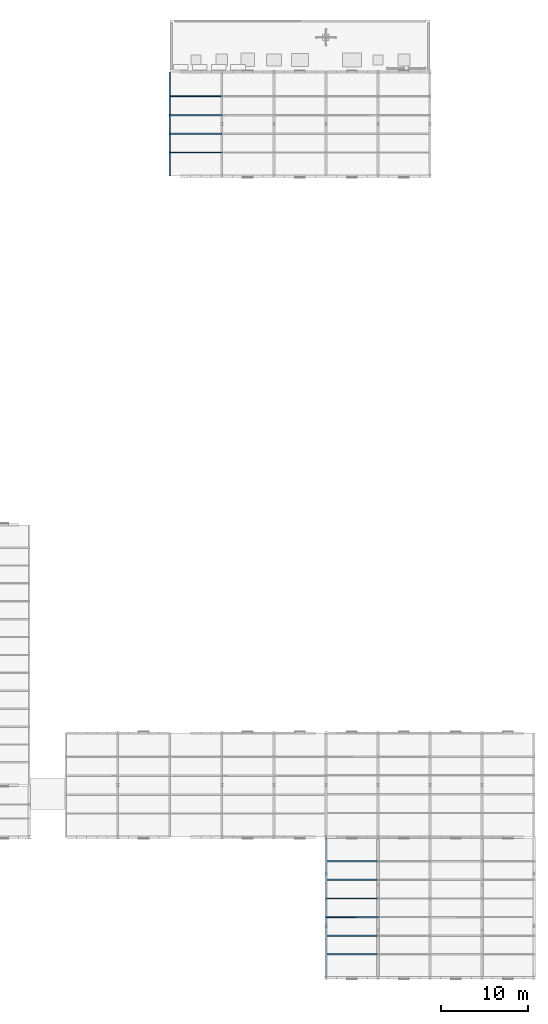
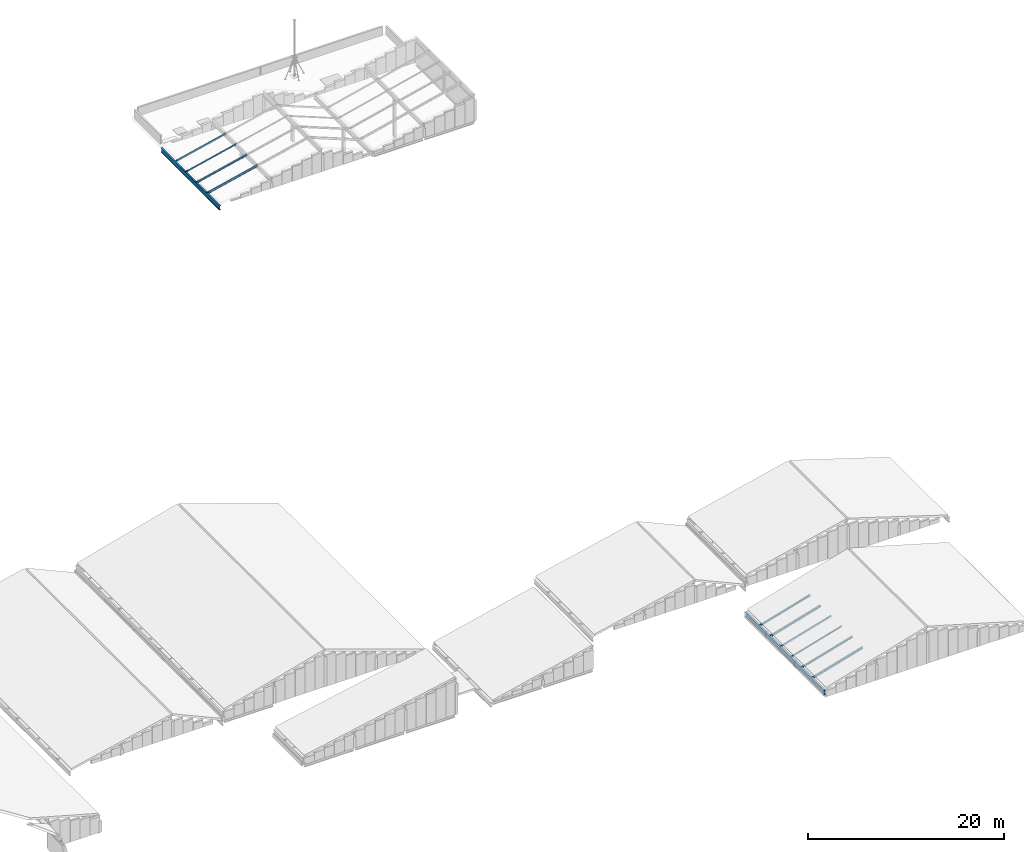
# One storey, part 16 of 74: 10 members, 2 beams.
"""IFC4 building model written with IfcOpenShell, lengths in metres."""

from ifc_helpers import new_model, si_unit, direction, frame, origin, origin_2d, place, context, subcontext, project, spatial, hollow_rectangle, i_section, extrude, material, material_profile, profile_set, type_object, element, save


model = new_model("IFC4")

# Units and contexts
model_context = context("Model", 3, precision=1e-05, world=origin(), true_north=direction((0.0, 1.0)))
body_context = subcontext(model_context, "Body", "Model", "MODEL_VIEW")
ifc_project = project(units=[si_unit("LENGTHUNIT", "METRE"), si_unit("AREAUNIT", "SQUARE_METRE"), si_unit("VOLUMEUNIT", "CUBIC_METRE"), si_unit("PLANEANGLEUNIT", "RADIAN"), si_unit("MASSUNIT", "GRAM", prefix="KILO")], contexts=[model_context])

# Site, building, storey
site_placement = place(None, origin())
site = spatial("IfcSite", under=ifc_project, at=site_placement, CompositionType="ELEMENT")
building_placement = place(site_placement, origin())
building = spatial("IfcBuilding", under=site, at=building_placement, Name="Siltcreek Boulevard Central Fire Station", CompositionType="ELEMENT")
storey_placement = place(building_placement, frame((0.0, 0.0, 25.199951171875)))
storey = spatial("IfcBuildingStorey", under=building, at=storey_placement, Name="RF", CompositionType="ELEMENT", Elevation=25.199951171875)

# Beams
ifc_material_1 = material(Name="Structural steel ASTM A992 Gr50", Category="steel")
ifc_material_profile_1 = material_profile(ifc_material_1, i_section(OverallWidth=0.2109375, OverallDepth=0.5390625, WebThickness=0.01171875, FlangeThickness=0.018798828125, at=origin_2d()), Name="W530X109")
ifc_profile_set_1 = profile_set([ifc_material_profile_1], Name="Structural steel ASTM A992 Gr50")
beam_type = type_object("IfcBeamType", Name="BM_W530X109", PredefinedType="BEAM", material=ifc_profile_set_1)
beam_1_placement = place(storey_placement, frame((124.199951171875, 94.2099609375, -4.0234375), z_axis=(0.0, 1.0, 0.0), x_axis=(-1.0, 0.0, 0.0)))
element("IfcBeam", 1, at=beam_1_placement, inside=storey, type_object=beam_type, Name="Pitched roof rafter beam RFB-051", PredefinedType="BEAM", context=body_context, shape_type="SweptSolid", body=[
    extrude(i_section(OverallWidth=0.2109375, OverallDepth=0.5390625, WebThickness=0.01171875, FlangeThickness=0.018798828125, at=origin_2d()), origin(), (0.0, 0.0, 1.0), 11.97998046875),
])
beam_2_placement = place(storey_placement, frame((142.199951171875, 1.81005859375, -14.734375), z_axis=(0.0, 1.0, 0.0), x_axis=(-1.0, 0.0, 0.0)))
element("IfcBeam", 2, at=beam_2_placement, inside=storey, type_object=beam_type, Name="Pitched roof rafter beam RFB-064", PredefinedType="BEAM", context=body_context, shape_type="SweptSolid", body=[
    extrude(i_section(OverallWidth=0.2109375, OverallDepth=0.5390625, WebThickness=0.01171875, FlangeThickness=0.018798828125, at=origin_2d()), origin(), (0.0, 0.0, 1.0), 16.179931640625),
])

# Members
ifc_material_2 = material(Name="Structural steel ASTM A500 GrC", Category="steel")
ifc_material_profile_2 = material_profile(ifc_material_2, hollow_rectangle(XDim=0.10009765625, YDim=0.199951171875, WallThickness=0.00634765625, at=origin_2d()), Name="HSS200X100X6.4")
ifc_profile_set_2 = profile_set([ifc_material_profile_2], Name="Structural steel ASTM A500 GrC")
member_type_1 = type_object("IfcMemberType", Name="PR_HSS200X100", PredefinedType="PURLIN", material=ifc_profile_set_2)
member_1_placement = place(storey_placement, frame((124.2099609375, 103.406005859375, -3.821044921875), z_axis=(0.973843555816, 0.0, 0.227219560769), x_axis=(0.0, 1.0, 0.0)))
element("IfcMember", 3, at=member_1_placement, inside=storey, type_object=member_type_1, Name="Sloped roof purlin PR-0271", PredefinedType="PURLIN", context=body_context, shape_type="SweptSolid", body=[
    extrude(hollow_rectangle(XDim=0.10009765625, YDim=0.199951171875, WallThickness=0.00634765625, at=origin_2d()), origin(), (0.0, 0.0, 1.0), 6.140625),
])
member_2_placement = place(storey_placement, frame((142.2099609375, 10.932861328125, -14.525634765625), z_axis=(0.960000877925, 0.0, 0.279996989953), x_axis=(0.0, 1.0, 0.0)))
element("IfcMember", 4, at=member_2_placement, inside=storey, type_object=member_type_1, Name="Sloped roof purlin PR-0311", PredefinedType="PURLIN", context=body_context, shape_type="SweptSolid", body=[
    extrude(hollow_rectangle(XDim=0.10009765625, YDim=0.199951171875, WallThickness=0.00634765625, at=origin_2d()), origin(), (0.0, 0.0, 1.0), 6.229248046875),
])
ifc_material_profile_3 = material_profile(ifc_material_1, i_section(OverallWidth=0.10205078125, OverallDepth=0.159912109375, WebThickness=0.006591796875, FlangeThickness=0.01025390625, at=origin_2d()), Name="W150X24")
ifc_profile_set_3 = profile_set([ifc_material_profile_3], Name="Structural steel ASTM A992 Gr50")
member_type_2 = type_object("IfcMemberType", Name="PR_W150X24", PredefinedType="PURLIN", material=ifc_profile_set_3)
member_3_placement = place(storey_placement, frame((124.2099609375, 101.241943359375, -3.800537109375), z_axis=(0.973834757562, 0.0, 0.227257266033), x_axis=(0.0, 1.0, 0.0)))
element("IfcMember", 5, at=member_3_placement, inside=storey, type_object=member_type_2, Name="Sloped roof purlin PR-0270", PredefinedType="PURLIN", context=body_context, shape_type="SweptSolid", body=[
    extrude(i_section(OverallWidth=0.10205078125, OverallDepth=0.159912109375, WebThickness=0.006591796875, FlangeThickness=0.01025390625, at=origin_2d()), origin(), (0.0, 0.0, 1.0), 6.140625),
])
member_4_placement = place(storey_placement, frame((142.2099609375, 8.787109375, -14.5048828125), z_axis=(0.959990342304, 0.0, 0.280033109976), x_axis=(0.0, 1.0, 0.0)))
element("IfcMember", 6, at=member_4_placement, inside=storey, type_object=member_type_2, Name="Sloped roof purlin PR-0310", PredefinedType="PURLIN", context=body_context, shape_type="SweptSolid", body=[
    extrude(i_section(OverallWidth=0.10205078125, OverallDepth=0.159912109375, WebThickness=0.006591796875, FlangeThickness=0.01025390625, at=origin_2d()), origin(), (0.0, 0.0, 1.0), 6.229248046875),
])
ifc_material_profile_4 = material_profile(ifc_material_1, i_section(OverallWidth=0.1650390625, OverallDepth=0.200927734375, WebThickness=0.006103515625, FlangeThickness=0.01025390625, at=origin_2d()), Name="W200X36")
ifc_profile_set_4 = profile_set([ifc_material_profile_4], Name="Structural steel ASTM A992 Gr50")
member_type_3 = type_object("IfcMemberType", Name="PR_W200X36", PredefinedType="PURLIN", material=ifc_profile_set_4)
member_5_placement = place(storey_placement, frame((124.2099609375, 99.077880859375, -3.821533203125), z_axis=(0.973843555816, 0.0, 0.227219560769), x_axis=(0.0, 1.0, 0.0)))
element("IfcMember", 7, at=member_5_placement, inside=storey, type_object=member_type_3, Name="Sloped roof purlin PR-0269", PredefinedType="PURLIN", context=body_context, shape_type="SweptSolid", body=[
    extrude(i_section(OverallWidth=0.1650390625, OverallDepth=0.200927734375, WebThickness=0.006103515625, FlangeThickness=0.01025390625, at=origin_2d()), origin(), (0.0, 0.0, 1.0), 6.140625),
])
for number, where, z_axis, x_axis, name in (
    (8, (142.2099609375, 6.641357421875, -14.526123046875), (0.960000877925, 0.0, 0.279996989953), (0.0, 1.0, 0.0), "Sloped roof purlin PR-0309"),
    (9, (142.2099609375, 15.224365234375, -14.526123046875), (0.960000877925, 0.0, 0.279996989953), (0.0, 1.0, 0.0), "Sloped roof purlin PR-0313"),
):
    element("IfcMember", number, at=place(storey_placement, frame(where, z_axis=z_axis, x_axis=x_axis)), inside=storey, type_object=member_type_3, Name=name, PredefinedType="PURLIN", context=body_context, shape_type="SweptSolid", body=[
        extrude(i_section(OverallWidth=0.1650390625, OverallDepth=0.200927734375, WebThickness=0.006103515625, FlangeThickness=0.01025390625, at=origin_2d()), origin(), (0.0, 0.0, 1.0), 6.229248046875),
    ])
ifc_material_profile_5 = material_profile(ifc_material_1, i_section(OverallWidth=0.14697265625, OverallDepth=0.261962890625, WebThickness=0.006591796875, FlangeThickness=0.01123046875, at=origin_2d()), Name="W250X39")
ifc_profile_set_5 = profile_set([ifc_material_profile_5], Name="Structural steel ASTM A992 Gr50")
member_type_4 = type_object("IfcMemberType", Name="PR_W250X39", PredefinedType="PURLIN", material=ifc_profile_set_5)
member_6_placement = place(storey_placement, frame((124.2099609375, 96.9140625, -3.852783203125), z_axis=(0.973843555816, 0.0, 0.227219560769), x_axis=(0.0, 1.0, 0.0)))
element("IfcMember", 10, at=member_6_placement, inside=storey, type_object=member_type_4, Name="Sloped roof purlin PR-0268", PredefinedType="PURLIN", context=body_context, shape_type="SweptSolid", body=[
    extrude(i_section(OverallWidth=0.14697265625, OverallDepth=0.261962890625, WebThickness=0.006591796875, FlangeThickness=0.01123046875, at=origin_2d()), origin(), (0.0, 0.0, 1.0), 6.140625),
])
for number, where, z_axis, x_axis, name in (
    (11, (142.2099609375, 4.49560546875, -14.557861328125), (0.960000877925, 0.0, 0.279996989953), (0.0, 1.0, 0.0), "Sloped roof purlin PR-0308"),
    (12, (142.2099609375, 13.07861328125, -14.557861328125), (0.960000877925, 0.0, 0.279996989953), (0.0, 1.0, 0.0), "Sloped roof purlin PR-0312"),
):
    element("IfcMember", number, at=place(storey_placement, frame(where, z_axis=z_axis, x_axis=x_axis)), inside=storey, type_object=member_type_4, Name=name, PredefinedType="PURLIN", context=body_context, shape_type="SweptSolid", body=[
        extrude(i_section(OverallWidth=0.14697265625, OverallDepth=0.261962890625, WebThickness=0.006591796875, FlangeThickness=0.01123046875, at=origin_2d()), origin(), (0.0, 0.0, 1.0), 6.229248046875),
    ])

save(model, "model.ifc")
